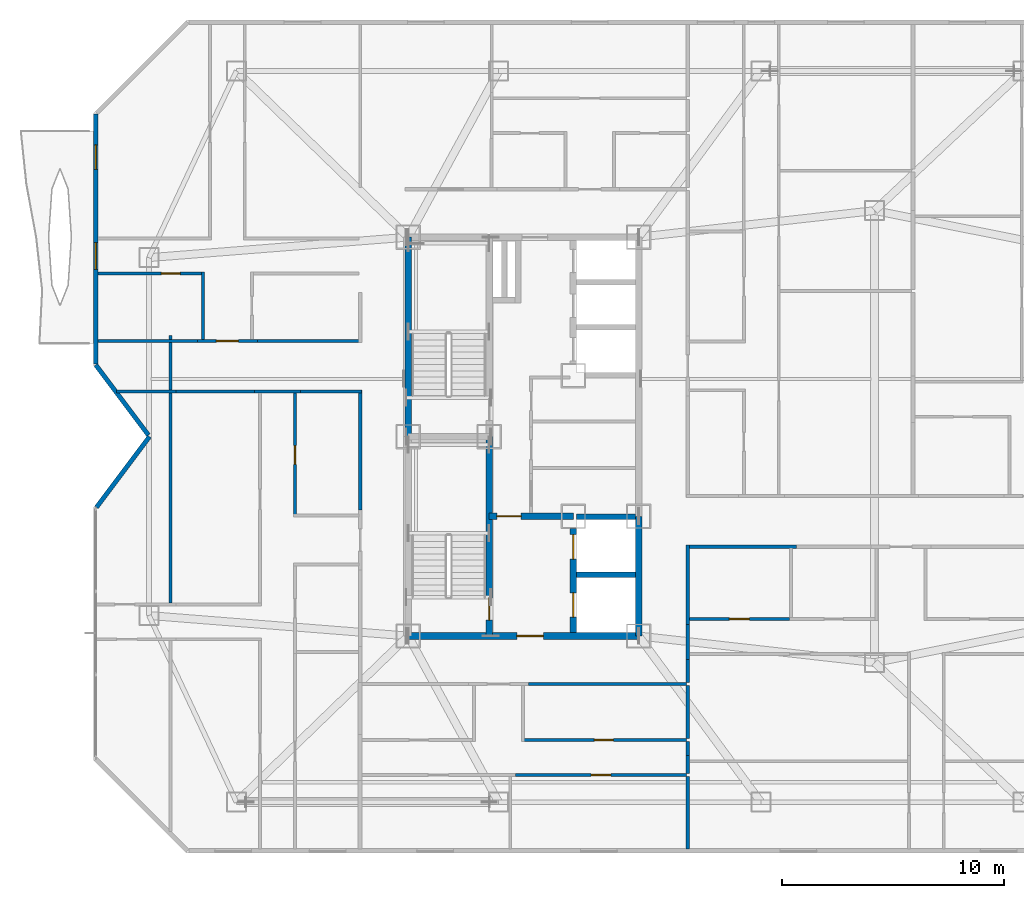
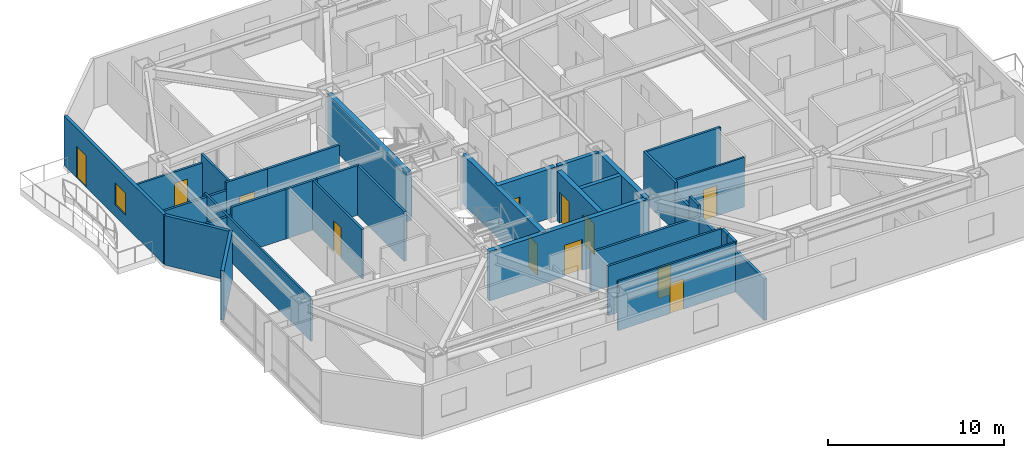
# One storey, part 11 of 17: 35 walls, 12 doors, 1 window, 13 openings.
"""IFC4 building model written with IfcOpenShell, lengths in metres."""

from ifc_helpers import new_model, si_unit, direction, frame, frame_2d, origin, place, context, subcontext, project, spatial, rectangle, extrude, material, layer, layer_set, type_object, element, fill, save


model = new_model("IFC4")

# Units and contexts
model_context = context("Model", 3, precision=1e-05, world=origin(), true_north=direction((0.0, 1.0)))
body_context = subcontext(model_context, "Body", "Model", "MODEL_VIEW")
ifc_project = project(units=[si_unit("LENGTHUNIT", "METRE"), si_unit("AREAUNIT", "SQUARE_METRE"), si_unit("VOLUMEUNIT", "CUBIC_METRE"), si_unit("PLANEANGLEUNIT", "RADIAN"), si_unit("MASSUNIT", "GRAM", prefix="KILO")], contexts=[model_context])

# Site, building, storey
site_placement = place(None, origin())
site = spatial("IfcSite", under=ifc_project, at=site_placement, CompositionType="ELEMENT")
building_placement = place(site_placement, origin())
building = spatial("IfcBuilding", under=site, at=building_placement, Name="Khamvora Tower", CompositionType="ELEMENT")
storey_placement = place(building_placement, frame((0.0, 0.0, 192.39990234375)))
storey = spatial("IfcBuildingStorey", under=building, at=storey_placement, Name="L49", CompositionType="ELEMENT", Elevation=192.39990234375)

# Wall
ifc_material_1 = material(Name="Concrete C50/60", Category="concrete")
ifc_layer_1 = layer(ifc_material_1, 0.300048828125)
ifc_layer_set_1 = layer_set([ifc_layer_1], Name="Concrete C50/60")
wall_type_1 = type_object("IfcWallType", Name="WAL-CORE-300", PredefinedType="SHEAR", material=ifc_layer_set_1)
wall_1_placement = place(storey_placement, frame((29.0, 28.0, 0.0), z_axis=(0.0, 0.0, 1.0), x_axis=(0.0, 1.0, 0.0)))
element("IfcWall", 1, at=wall_1_placement, inside=storey, type_object=wall_type_1, Name="L49 central core west north wall", PredefinedType="SHEAR", context=body_context, shape_type="SweptSolid", body=[
    extrude(rectangle(XDim=9.0, YDim=0.300048828125, at=frame_2d((4.5, 0.0))), origin(), (0.0, 0.0, 1.0), 3.43017578125),
])

# Wall, opening, door
wall_2_placement = place(storey_placement, frame((29.0, 19.0, 0.0), z_axis=(0.0, 0.0, 1.0), x_axis=(1.0, 0.0, 0.0)))
wall_2 = element("IfcWall", 2, at=wall_2_placement, inside=storey, type_object=wall_type_1, Name="L49 central core south wall", PredefinedType="SHEAR", context=body_context, shape_type="SweptSolid", body=[
    extrude(rectangle(XDim=10.39990234375, YDim=0.300048828125, at=frame_2d((5.199951171875, 0.0))), origin(), (0.0, 0.0, 1.0), 3.43017578125),
])
opening_1_placement = place(wall_2_placement, frame((4.89990234375, 0.0, 0.0)))
opening_1 = element("IfcOpeningElement", 3, at=opening_1_placement, cuts=wall_2, Name="Opening D-CR1", PredefinedType="OPENING", context=body_context, shape_type="SweptSolid", body=[
    extrude(rectangle(XDim=1.199951171875, YDim=2.14990234375, at=frame_2d((0.60009765625, 1.074951171875))), frame((0.0, 0.159912109375, 0.0), z_axis=(0.0, -1.0, 0.0), x_axis=(1.0, 0.0, 0.0)), (0.0, 0.0, 1.0), 0.320068359375),
])
ifc_material_2 = material(Name="Powder-Coated Steel and Hardwood Leaf", Category="steel")
door_type_1 = type_object("IfcDoorType", Name="DOR-CORR-1200", OperationType="NOTDEFINED", PredefinedType="DOOR", material=ifc_material_2)
door_1_placement = place(opening_1_placement, origin())
door_1 = element("IfcDoor", 4, at=door_1_placement, inside=storey, type_object=door_type_1, Name="L49 south core lobby to corridor fire door", OperationType="SINGLE_SWING_LEFT", OverallHeight=2.14990234375, OverallWidth=1.199951171875, PredefinedType="DOOR", context=body_context, shape_type="SweptSolid", body=[
    extrude(rectangle(XDim=1.199951171875, YDim=2.14990234375, at=frame_2d((0.60009765625, 1.074951171875))), frame((0.0, 0.02490234375, 0.0), z_axis=(0.0, -1.0, 0.0), x_axis=(1.0, 0.0, 0.0)), (0.0, 0.0, 1.0), 0.050048828125),
])
fill(opening_1, door_1)

# Wall
wall_3_placement = place(storey_placement, frame((39.39990234375, 19.0, 0.0), z_axis=(0.0, 0.0, 1.0), x_axis=(0.0, 1.0, 0.0)))
element("IfcWall", 5, at=wall_3_placement, inside=storey, type_object=wall_type_1, Name="L49 central core east south wall", PredefinedType="SHEAR", context=body_context, shape_type="SweptSolid", body=[
    extrude(rectangle(XDim=5.39990234375, YDim=0.300048828125, at=frame_2d((2.699951171875, 0.0))), origin(), (0.0, 0.0, 1.0), 3.43017578125),
])

# Wall, opening, door
wall_4_placement = place(storey_placement, frame((32.64990234375, 19.0, 0.0), z_axis=(0.0, 0.0, 1.0), x_axis=(0.0, 1.0, 0.0)))
wall_4 = element("IfcWall", 6, at=wall_4_placement, inside=storey, type_object=wall_type_1, Name="L49 central core stair south spine wall", PredefinedType="SHEAR", context=body_context, shape_type="SweptSolid", body=[
    extrude(rectangle(XDim=9.0, YDim=0.300048828125, at=frame_2d((4.5, 0.0))), origin(), (0.0, 0.0, 1.0), 3.43017578125),
])
opening_2_placement = place(wall_4_placement, frame((0.719970703125, 0.0, 0.0)))
opening_2 = element("IfcOpeningElement", 7, at=opening_2_placement, cuts=wall_4, Name="Opening D-ST1", PredefinedType="OPENING", context=body_context, shape_type="SweptSolid", body=[
    extrude(rectangle(XDim=1.0, YDim=2.14990234375, at=frame_2d((0.5, 1.074951171875))), frame((0.0, 0.159912109375, 0.0), z_axis=(0.0, -1.0, 0.0), x_axis=(1.0, 0.0, 0.0)), (0.0, 0.0, 1.0), 0.320068359375),
])
door_type_2 = type_object("IfcDoorType", Name="DOR-STAIR-1000", OperationType="NOTDEFINED", PredefinedType="DOOR", material=ifc_material_2)
door_2_placement = place(opening_2_placement, origin())
door_2 = element("IfcDoor", 8, at=door_2_placement, inside=storey, type_object=door_type_2, Name="L49 exit stair ST-01 fire door", OperationType="SINGLE_SWING_RIGHT", OverallHeight=2.14990234375, OverallWidth=1.0, PredefinedType="DOOR", context=body_context, shape_type="SweptSolid", body=[
    extrude(rectangle(XDim=1.0, YDim=2.14990234375, at=frame_2d((0.5, 1.074951171875))), frame((0.0, 0.02490234375, 0.0), z_axis=(0.0, -1.0, 0.0), x_axis=(1.0, 0.0, 0.0)), (0.0, 0.0, 1.0), 0.050048828125),
])
fill(opening_2, door_2)

wall_5_placement = place(storey_placement, frame((32.64990234375, 24.39990234375, 0.0), z_axis=(0.0, 0.0, 1.0), x_axis=(1.0, 0.0, 0.0)))
wall_5 = element("IfcWall", 9, at=wall_5_placement, inside=storey, type_object=wall_type_1, Name="L49 central core firefighting lobby north wall", PredefinedType="SHEAR", context=body_context, shape_type="SweptSolid", body=[
    extrude(rectangle(XDim=3.800048828125, YDim=0.300048828125, at=frame_2d((1.89990234375, 0.0))), origin(), (0.0, 0.0, 1.0), 3.43017578125),
])
opening_3_placement = place(wall_5_placement, frame((0.35009765625, 0.0, 0.0)))
opening_3 = element("IfcOpeningElement", 10, at=opening_3_placement, cuts=wall_5, Name="Opening D-FF1", PredefinedType="OPENING", context=body_context, shape_type="SweptSolid", body=[
    extrude(rectangle(XDim=1.10009765625, YDim=2.14990234375, at=frame_2d((0.550048828125, 1.074951171875))), frame((0.0, 0.159912109375, 0.0), z_axis=(0.0, -1.0, 0.0), x_axis=(1.0, 0.0, 0.0)), (0.0, 0.0, 1.0), 0.320068359375),
])
door_type_3 = type_object("IfcDoorType", Name="DOR-FFLOB-1100", OperationType="NOTDEFINED", PredefinedType="DOOR", material=ifc_material_2)
door_3_placement = place(opening_3_placement, origin())
door_3 = element("IfcDoor", 11, at=door_3_placement, inside=storey, type_object=door_type_3, Name="L49 firefighting lobby smoke-seal fire door", OperationType="SINGLE_SWING_RIGHT", OverallHeight=2.14990234375, OverallWidth=1.10009765625, PredefinedType="DOOR", context=body_context, shape_type="SweptSolid", body=[
    extrude(rectangle(XDim=1.10009765625, YDim=2.14990234375, at=frame_2d((0.550048828125, 1.074951171875))), frame((0.0, 0.02490234375, 0.0), z_axis=(0.0, -1.0, 0.0), x_axis=(1.0, 0.0, 0.0)), (0.0, 0.0, 1.0), 0.050048828125),
])
fill(opening_3, door_3)

# Wall, openings, doors
wall_6_placement = place(storey_placement, frame((36.449951171875, 19.154052734375, 0.0), z_axis=(0.0, 0.0, 1.0), x_axis=(0.0, 1.0, 0.0)))
wall_6 = element("IfcWall", 12, at=wall_6_placement, inside=storey, type_object=wall_type_1, Name="L49 central core lift bank south wall", PredefinedType="SHEAR", context=body_context, shape_type="SweptSolid", body=[
    extrude(rectangle(XDim=4.696044921875, YDim=0.300048828125, at=frame_2d((2.34814453125, 0.0))), origin(), (0.0, 0.0, 1.0), 3.43017578125),
])
opening_4_placement = place(wall_6_placement, frame((0.696044921875, 0.0, 0.0)))
opening_4 = element("IfcOpeningElement", 13, at=opening_4_placement, cuts=wall_6, Name="Opening LD-FFL", PredefinedType="OPENING", context=body_context, shape_type="SweptSolid", body=[
    extrude(rectangle(XDim=1.10009765625, YDim=2.14990234375, at=frame_2d((0.550048828125, 1.074951171875))), frame((0.0, 0.159912109375, 0.0), z_axis=(0.0, -1.0, 0.0), x_axis=(1.0, 0.0, 0.0)), (0.0, 0.0, 1.0), 0.320068359375),
])
opening_5_placement = place(wall_6_placement, frame((3.31591796875, 0.0, 0.0)))
opening_5 = element("IfcOpeningElement", 14, at=opening_5_placement, cuts=wall_6, Name="Opening LD-FFL", PredefinedType="OPENING", context=body_context, shape_type="SweptSolid", body=[
    extrude(rectangle(XDim=1.10009765625, YDim=2.14990234375, at=frame_2d((0.550048828125, 1.074951171875))), frame((0.0, 0.159912109375, 0.0), z_axis=(0.0, -1.0, 0.0), x_axis=(1.0, 0.0, 0.0)), (0.0, 0.0, 1.0), 0.320068359375),
])
door_type_4 = type_object("IfcDoorType", Name="DOR-LIFT-1100", OperationType="SLIDING_TO_LEFT", PredefinedType="DOOR", material=ifc_material_2)
door_4_placement = place(opening_4_placement, origin())
door_4 = element("IfcDoor", 15, at=door_4_placement, inside=storey, type_object=door_type_4, Name="L49 lift landing sliding door FFL-01", OperationType="SLIDING_TO_LEFT", OverallHeight=2.14990234375, OverallWidth=1.10009765625, PredefinedType="DOOR", context=body_context, shape_type="SweptSolid", body=[
    extrude(rectangle(XDim=1.10009765625, YDim=2.14990234375, at=frame_2d((0.550048828125, 1.074951171875))), frame((0.0, 0.02490234375, 0.0), z_axis=(0.0, -1.0, 0.0), x_axis=(1.0, 0.0, 0.0)), (0.0, 0.0, 1.0), 0.050048828125),
])
fill(opening_4, door_4)
door_5_placement = place(opening_5_placement, origin())
door_5 = element("IfcDoor", 16, at=door_5_placement, inside=storey, type_object=door_type_4, Name="L49 lift landing sliding door FFL-02", OperationType="SLIDING_TO_LEFT", OverallHeight=2.14990234375, OverallWidth=1.10009765625, PredefinedType="DOOR", context=body_context, shape_type="SweptSolid", body=[
    extrude(rectangle(XDim=1.10009765625, YDim=2.14990234375, at=frame_2d((0.550048828125, 1.074951171875))), frame((0.0, 0.02490234375, 0.0), z_axis=(0.0, -1.0, 0.0), x_axis=(1.0, 0.0, 0.0)), (0.0, 0.0, 1.0), 0.050048828125),
])
fill(opening_5, door_5)

# Walls
ifc_material_3 = material(Name="Fire-Rated Drywall and Steel Stud", Category="steel")
ifc_layer_2 = layer(ifc_material_3, 0.14990234375)
ifc_layer_set_2 = layer_set([ifc_layer_2], Name="Fire-Rated Drywall and Steel Stud")
wall_type_2 = type_object("IfcWallType", Name="WAL-CORR-150", PredefinedType="STANDARD", material=ifc_layer_set_2)
wall_7_placement = place(storey_placement, frame((24.138916015625, 30.034912109375, 0.0), z_axis=(0.0, 0.0, 1.0), x_axis=(-1.0, 0.0, 0.0)))
element("IfcWall", 17, at=wall_7_placement, inside=storey, type_object=wall_type_2, Name="L49 interior partition wall 010", PredefinedType="STANDARD", context=body_context, shape_type="SweptSolid", body=[
    extrude(rectangle(XDim=2.077880859375, YDim=0.14990234375, at=frame_2d((1.0390625, 0.0))), origin(), (0.0, 0.0, 1.0), 3.43017578125),
])
wall_8_placement = place(storey_placement, frame((26.8349609375, 24.68310546875, 0.0), z_axis=(0.0, 0.0, 1.0), x_axis=(0.0, 1.0, 0.0)))
element("IfcWall", 18, at=wall_8_placement, inside=storey, type_object=wall_type_2, Name="L49 interior partition wall 012", PredefinedType="STANDARD", context=body_context, shape_type="SweptSolid", body=[
    extrude(rectangle(XDim=5.4169921875, YDim=0.14990234375, at=frame_2d((2.70849609375, 0.0))), origin(), (0.0, 0.0, 1.0), 3.43017578125),
])
wall_9_placement = place(storey_placement, frame((26.89794921875, 30.034912109375, 0.0), z_axis=(0.0, 0.0, 1.0), x_axis=(-1.0, 0.0, 0.0)))
element("IfcWall", 19, at=wall_9_placement, inside=storey, type_object=wall_type_2, Name="L49 interior partition wall 013", PredefinedType="STANDARD", context=body_context, shape_type="SweptSolid", body=[
    extrude(rectangle(XDim=2.759033203125, YDim=0.14990234375, at=frame_2d((1.37939453125, 0.0))), origin(), (0.0, 0.0, 1.0), 3.43017578125),
])
wall_10_placement = place(storey_placement, frame((18.52294921875, 30.034912109375, 0.0), z_axis=(0.0, 0.0, 1.0), x_axis=(-1.0, 0.0, 0.0)))
element("IfcWall", 20, at=wall_10_placement, inside=storey, type_object=wall_type_2, Name="L49 interior partition wall 014", PredefinedType="STANDARD", context=body_context, shape_type="SweptSolid", body=[
    extrude(rectangle(XDim=2.697998046875, YDim=0.14990234375, at=frame_2d((1.34912109375, 0.0))), origin(), (0.0, 0.0, 1.0), 2.8759765625),
])
wall_11_placement = place(storey_placement, frame((22.06103515625, 30.034912109375, 0.0), z_axis=(0.0, 0.0, 1.0), x_axis=(-1.0, 0.0, 0.0)))
element("IfcWall", 21, at=wall_11_placement, inside=storey, type_object=wall_type_2, Name="L49 interior partition wall 015", PredefinedType="STANDARD", context=body_context, shape_type="SweptSolid", body=[
    extrude(rectangle(XDim=3.5380859375, YDim=0.14990234375, at=frame_2d((1.76904296875, 0.0))), origin(), (0.0, 0.0, 1.0), 3.43017578125),
])

# Wall, opening, door
wall_12_placement = place(storey_placement, frame((19.490966796875, 32.31494140625, 0.0), z_axis=(0.0, 0.0, 1.0), x_axis=(1.0, 0.0, 0.0)))
wall_12 = element("IfcWall", 22, at=wall_12_placement, inside=storey, type_object=wall_type_2, Name="L49 interior partition wall 016", PredefinedType="STANDARD", context=body_context, shape_type="SweptSolid", body=[
    extrude(rectangle(XDim=2.697998046875, YDim=0.14990234375, at=frame_2d((1.34912109375, 0.0))), origin(), (0.0, 0.0, 1.0), 3.43017578125),
])
opening_6_placement = place(wall_12_placement, frame((0.84912109375, 0.0, 0.0)))
opening_6 = element("IfcOpeningElement", 23, at=opening_6_placement, cuts=wall_12, Name="Opening D-U1", PredefinedType="OPENING", context=body_context, shape_type="SweptSolid", body=[
    extrude(rectangle(XDim=1.0, YDim=2.14990234375, at=frame_2d((0.5, 1.074951171875))), frame((0.0, 0.0849609375, 0.0), z_axis=(0.0, -1.0, 0.0), x_axis=(1.0, 0.0, 0.0)), (0.0, 0.0, 1.0), 0.169921875),
])
door_type_5 = type_object("IfcDoorType", Name="DOR-UNIT-1000", OperationType="NOTDEFINED", PredefinedType="DOOR", material=ifc_material_2)
door_6_placement = place(opening_6_placement, origin())
door_6 = element("IfcDoor", 24, at=door_6_placement, inside=storey, type_object=door_type_5, Name="L49 interior door COR-49WBH", OperationType="SINGLE_SWING_RIGHT", OverallHeight=2.14990234375, OverallWidth=1.0, PredefinedType="DOOR", context=body_context, shape_type="SweptSolid", body=[
    extrude(rectangle(XDim=1.0, YDim=2.14990234375, at=frame_2d((0.5, 1.074951171875))), frame((0.0, 0.02490234375, 0.0), z_axis=(0.0, -1.0, 0.0), x_axis=(1.0, 0.0, 0.0)), (0.0, 0.0, 1.0), 0.050048828125),
])
fill(opening_6, door_6)

# Walls
wall_13_placement = place(storey_placement, frame((14.991943359375, 32.31494140625, 0.0), z_axis=(0.0, 0.0, 1.0), x_axis=(1.0, 0.0, 0.0)))
element("IfcWall", 25, at=wall_13_placement, inside=storey, type_object=wall_type_2, Name="L49 interior partition wall 017", PredefinedType="STANDARD", context=body_context, shape_type="SweptSolid", body=[
    extrude(rectangle(XDim=4.4990234375, YDim=0.14990234375, at=frame_2d((2.24951171875, 0.0))), origin(), (0.0, 0.0, 1.0), 2.8759765625),
])
wall_14_placement = place(storey_placement, frame((22.18896484375, 32.31494140625, 0.0), z_axis=(0.0, 0.0, 1.0), x_axis=(1.0, 0.0, 0.0)))
element("IfcWall", 26, at=wall_14_placement, inside=storey, type_object=wall_type_2, Name="L49 interior partition wall 018", PredefinedType="STANDARD", context=body_context, shape_type="SweptSolid", body=[
    extrude(rectangle(XDim=4.7109375, YDim=0.14990234375, at=frame_2d((2.35546875, 0.0))), origin(), (0.0, 0.0, 1.0), 3.43017578125),
])
wall_15_placement = place(storey_placement, frame((41.550048828125, 16.8349609375, 0.0), z_axis=(0.0, 0.0, 1.0), x_axis=(-1.0, 0.0, 0.0)))
element("IfcWall", 27, at=wall_15_placement, inside=storey, type_object=wall_type_2, Name="L49 interior partition wall 022", PredefinedType="STANDARD", context=body_context, shape_type="SweptSolid", body=[
    extrude(rectangle(XDim=7.1259765625, YDim=0.14990234375, at=frame_2d((3.56298828125, 0.0))), origin(), (0.0, 0.0, 1.0), 2.72509765625),
])
wall_16_placement = place(storey_placement, frame((46.51904296875, 23.034912109375, 0.0), z_axis=(0.0, 0.0, 1.0), x_axis=(-1.0, 0.0, 0.0)))
element("IfcWall", 28, at=wall_16_placement, inside=storey, type_object=wall_type_2, Name="L49 interior partition wall 026", PredefinedType="STANDARD", context=body_context, shape_type="SweptSolid", body=[
    extrude(rectangle(XDim=4.968994140625, YDim=0.14990234375, at=frame_2d((2.484375, 0.0))), origin(), (0.0, 0.0, 1.0), 3.43017578125),
])
wall_17_placement = place(storey_placement, frame((41.614990234375, 23.10009765625, 0.0), z_axis=(0.0, 0.0, 1.0), x_axis=(0.0, -1.0, 0.0)))
element("IfcWall", 29, at=wall_17_placement, inside=storey, type_object=wall_type_2, Name="L49 interior partition wall 027", PredefinedType="STANDARD", context=body_context, shape_type="SweptSolid", body=[
    extrude(rectangle(XDim=3.5830078125, YDim=0.14990234375, at=frame_2d((1.79150390625, 0.0))), origin(), (0.0, 0.0, 1.0), 3.43017578125),
])
wall_18_placement = place(storey_placement, frame((41.614990234375, 19.51708984375, 0.0), z_axis=(0.0, 0.0, 1.0), x_axis=(0.0, -1.0, 0.0)))
element("IfcWall", 30, at=wall_18_placement, inside=storey, type_object=wall_type_2, Name="L49 interior partition wall 030", PredefinedType="STANDARD", context=body_context, shape_type="SweptSolid", body=[
    extrude(rectangle(XDim=1.580078125, YDim=0.14990234375, at=frame_2d((0.7900390625, 0.0))), origin(), (0.0, 0.0, 1.0), 2.72509765625),
])
wall_19_placement = place(storey_placement, frame((41.614990234375, 17.93701171875, 0.0), z_axis=(0.0, 0.0, 1.0), x_axis=(0.0, -1.0, 0.0)))
element("IfcWall", 31, at=wall_19_placement, inside=storey, type_object=wall_type_2, Name="L49 interior partition wall 033", PredefinedType="STANDARD", context=body_context, shape_type="SweptSolid", body=[
    extrude(rectangle(XDim=1.037109375, YDim=0.14990234375, at=frame_2d((0.5185546875, 0.0))), origin(), (0.0, 0.0, 1.0), 3.43017578125),
])
ifc_material_4 = material(Name="Acoustic Double-Stud Fire Wall", Category="gypsum")
ifc_layer_3 = layer(ifc_material_4, 0.179931640625)
ifc_layer_set_3 = layer_set([ifc_layer_3], Name="Acoustic Double-Stud Fire Wall")
wall_type_3 = type_object("IfcWallType", Name="WAL-CORR-180", PredefinedType="STANDARD", material=ifc_layer_set_3)
wall_20_placement = place(storey_placement, frame((41.614990234375, 13.60009765625, 0.0), z_axis=(0.0, 0.0, 1.0), x_axis=(0.0, -1.0, 0.0)))
element("IfcWall", 32, at=wall_20_placement, inside=storey, type_object=wall_type_3, Name="L49 interior partition wall 079", PredefinedType="STANDARD", context=body_context, shape_type="SweptSolid", body=[
    extrude(rectangle(XDim=0.81005859375, YDim=0.179931640625, at=frame_2d((0.405029296875, 0.0))), origin(), (0.0, 0.0, 1.0), 3.43017578125),
])
wall_21_placement = place(storey_placement, frame((41.614990234375, 14.239990234375, 0.0), z_axis=(0.0, 0.0, 1.0), x_axis=(0.0, -1.0, 0.0)))
element("IfcWall", 33, at=wall_21_placement, inside=storey, type_object=wall_type_3, Name="L49 interior partition wall 080", PredefinedType="STANDARD", context=body_context, shape_type="SweptSolid", body=[
    extrude(rectangle(XDim=0.639892578125, YDim=0.179931640625, at=frame_2d((0.31982421875, 0.0))), origin(), (0.0, 0.0, 1.0), 3.43017578125),
])
wall_22_placement = place(storey_placement, frame((41.614990234375, 16.77001953125, 0.0), z_axis=(0.0, 0.0, 1.0), x_axis=(0.0, -1.0, 0.0)))
element("IfcWall", 34, at=wall_22_placement, inside=storey, type_object=wall_type_3, Name="L49 interior partition wall 081", PredefinedType="STANDARD", context=body_context, shape_type="SweptSolid", body=[
    extrude(rectangle(XDim=2.39990234375, YDim=0.179931640625, at=frame_2d((1.199951171875, 0.0))), origin(), (0.0, 0.0, 1.0), 2.72509765625),
])
wall_23_placement = place(storey_placement, frame((41.614990234375, 12.659912109375, 0.0), z_axis=(0.0, 0.0, 1.0), x_axis=(0.0, -1.0, 0.0)))
element("IfcWall", 35, at=wall_23_placement, inside=storey, type_object=wall_type_3, Name="L49 interior partition wall 083", PredefinedType="STANDARD", context=body_context, shape_type="SweptSolid", body=[
    extrude(rectangle(XDim=3.267822265625, YDim=0.179931640625, at=frame_2d((1.6337890625, 0.0))), origin(), (0.0, 0.0, 1.0), 2.8759765625),
])
ifc_material_5 = material(Name="Precast concrete C40/50", Category="concrete")
ifc_layer_4 = layer(ifc_material_5, 0.199951171875)
ifc_layer_set_4 = layer_set([ifc_layer_4], Name="Precast concrete C40/50")
wall_type_4 = type_object("IfcWallType", Name="WAL-EXT-200", PredefinedType="STANDARD", material=ifc_layer_set_4)
wall_24_placement = place(storey_placement, frame((14.929931640625, 24.806884765625, 0.0), z_axis=(0.0, 0.0, 1.0), x_axis=(0.600029358831, 0.799977980035, 0.0)))
element("IfcWall", 36, at=wall_24_placement, inside=storey, type_object=wall_type_4, Name="L49 exterior facade wall 03.1", PredefinedType="STANDARD", context=body_context, shape_type="SweptSolid", body=[
    extrude(rectangle(XDim=3.991455078125, YDim=0.199951171875, at=frame_2d((1.99560546875, 0.0))), origin(), (0.0, 0.0, 1.0), 3.43017578125),
])
wall_25_placement = place(storey_placement, frame((17.27294921875, 28.069091796875, 0.0), z_axis=(0.0, 0.0, 1.0), x_axis=(-0.600029630681, 0.799977776132, 0.0)))
element("IfcWall", 37, at=wall_25_placement, inside=storey, type_object=wall_type_4, Name="L49 exterior facade wall 04.1", PredefinedType="STANDARD", context=body_context, shape_type="SweptSolid", body=[
    extrude(rectangle(XDim=3.954833984375, YDim=0.199951171875, at=frame_2d((1.9775390625, 0.0))), origin(), (0.0, 0.0, 1.0), 3.43017578125),
])

# Wall, openings, door, window
wall_26_placement = place(storey_placement, frame((14.89990234375, 31.283935546875, 0.0), z_axis=(0.0, 0.0, 1.0), x_axis=(0.0, 1.0, 0.0)))
wall_26 = element("IfcWall", 38, at=wall_26_placement, inside=storey, type_object=wall_type_4, Name="L49 exterior facade wall 05.1", PredefinedType="STANDARD", context=body_context, shape_type="SweptSolid", body=[
    extrude(rectangle(XDim=11.275146484375, YDim=0.199951171875, at=frame_2d((5.6376953125, 0.0))), origin(), (0.0, 0.0, 1.0), 3.43017578125),
])
opening_7_placement = place(wall_26_placement, frame((8.778076171875, 0.0, 0.0)))
opening_7 = element("IfcOpeningElement", 39, at=opening_7_placement, cuts=wall_26, Name="Opening BD-01", PredefinedType="OPENING", context=body_context, shape_type="SweptSolid", body=[
    extrude(rectangle(XDim=1.10009765625, YDim=2.199951171875, at=frame_2d((0.550048828125, 1.10009765625))), frame((0.0, 0.10986328125, 0.0), z_axis=(0.0, -1.0, 0.0), x_axis=(1.0, 0.0, 0.0)), (0.0, 0.0, 1.0), 0.219970703125),
])
opening_8_placement = place(wall_26_placement, frame((4.26708984375, 0.0, 0.800048828125)))
opening_8 = element("IfcOpeningElement", 40, at=opening_8_placement, cuts=wall_26, Name="Opening WN-03", PredefinedType="OPENING", context=body_context, shape_type="SweptSolid", body=[
    extrude(rectangle(XDim=1.199951171875, YDim=1.5, at=frame_2d((0.60009765625, 0.75))), frame((0.0, 0.10986328125, 0.0), z_axis=(0.0, -1.0, 0.0), x_axis=(1.0, 0.0, 0.0)), (0.0, 0.0, 1.0), 0.219970703125),
])
ifc_material_6 = material(Name="Anodised Aluminium and Laminated Safety Glass", Category="aluminium")
door_type_6 = type_object("IfcDoorType", Name="DOR-BAL-1100", OperationType="NOTDEFINED", PredefinedType="DOOR", material=ifc_material_6)
door_7_placement = place(opening_7_placement, origin())
door_7 = element("IfcDoor", 41, at=door_7_placement, inside=storey, type_object=door_type_6, Name="L49 lens gallery balcony door WL2", OperationType="SLIDING_TO_LEFT", OverallHeight=2.199951171875, OverallWidth=1.10009765625, PredefinedType="DOOR", context=body_context, shape_type="SweptSolid", body=[
    extrude(rectangle(XDim=1.10009765625, YDim=2.199951171875, at=frame_2d((0.550048828125, 1.10009765625))), frame((0.0, 0.02490234375, 0.0), z_axis=(0.0, -1.0, 0.0), x_axis=(1.0, 0.0, 0.0)), (0.0, 0.0, 1.0), 0.050048828125),
])
fill(opening_7, door_7)
ifc_material_7 = material(Name="Low-E Laminated Double Glazing", Category="glass")
window_type = type_object("IfcWindowType", Name="WIN-VIS-1200x1500", PartitioningType="SINGLE_PANEL", PredefinedType="WINDOW", material=ifc_material_7)
window_placement = place(opening_8_placement, origin())
window = element("IfcWindow", 42, at=window_placement, inside=storey, type_object=window_type, Name="L49 vision window 05.1.01", OverallHeight=1.5, OverallWidth=1.199951171875, PartitioningType="SINGLE_PANEL", PredefinedType="WINDOW", context=body_context, shape_type="SweptSolid", body=[
    extrude(rectangle(XDim=1.199951171875, YDim=1.5, at=frame_2d((0.60009765625, 0.75))), frame((0.0, 0.030029296875, 0.0), z_axis=(0.0, -1.0, 0.0), x_axis=(1.0, 0.0, 0.0)), (0.0, 0.0, 1.0), 0.06005859375),
])
fill(opening_8, window)

# Wall
ifc_material_8 = material(Name="Gypsum Plasterboard Partition", Category="gypsum")
ifc_layer_5 = layer(ifc_material_8, 0.1201171875)
ifc_layer_set_5 = layer_set([ifc_layer_5], Name="Gypsum Plasterboard Partition")
wall_type_5 = type_object("IfcWallType", Name="WAL-PART-120", PredefinedType="PARTITIONING", material=ifc_layer_set_5)
wall_27_placement = place(storey_placement, frame((18.27392578125, 32.570068359375, 0.0), z_axis=(0.0, 0.0, 1.0), x_axis=(0.0, -1.0, 0.0)))
element("IfcWall", 43, at=wall_27_placement, inside=storey, type_object=wall_type_5, Name="L49 interior partition wall 064", PredefinedType="PARTITIONING", context=body_context, shape_type="SweptSolid", body=[
    extrude(rectangle(XDim=12.091064453125, YDim=0.1201171875, at=frame_2d((6.04541015625, 0.0))), origin(), (0.0, 0.0, 1.0), 2.961181640625),
])

# Wall, opening, door
wall_28_placement = place(storey_placement, frame((41.550048828125, 12.72509765625, 0.0), z_axis=(0.0, 0.0, 1.0), x_axis=(-1.0, 0.0, 0.0)))
wall_28 = element("IfcWall", 44, at=wall_28_placement, inside=storey, type_object=wall_type_5, Name="L49 interior partition wall 078", PredefinedType="PARTITIONING", context=body_context, shape_type="SweptSolid", body=[
    extrude(rectangle(XDim=7.7021484375, YDim=0.1201171875, at=frame_2d((3.85107421875, 0.0))), origin(), (0.0, 0.0, 1.0), 3.43017578125),
])
opening_9_placement = place(wall_28_placement, frame((3.40087890625, 0.0, 0.0)))
opening_9 = element("IfcOpeningElement", 45, at=opening_9_placement, cuts=wall_28, Name="Opening D-RM1", PredefinedType="OPENING", context=body_context, shape_type="SweptSolid", body=[
    extrude(rectangle(XDim=0.89990234375, YDim=2.10009765625, at=frame_2d((0.449951171875, 1.050048828125))), frame((0.0, 0.070068359375, 0.0), z_axis=(0.0, -1.0, 0.0), x_axis=(1.0, 0.0, 0.0)), (0.0, 0.0, 1.0), 0.14013671875),
])
door_type_7 = type_object("IfcDoorType", Name="DOR-ROOM-900", OperationType="NOTDEFINED", PredefinedType="DOOR", material=ifc_material_2)
door_8_placement = place(opening_9_placement, origin())
door_8 = element("IfcDoor", 46, at=door_8_placement, inside=storey, type_object=door_type_7, Name="L49 interior door 49SAH-49SAR2", OperationType="SINGLE_SWING_RIGHT", OverallHeight=2.10009765625, OverallWidth=0.89990234375, PredefinedType="DOOR", context=body_context, shape_type="SweptSolid", body=[
    extrude(rectangle(XDim=0.89990234375, YDim=2.10009765625, at=frame_2d((0.449951171875, 1.050048828125))), frame((0.0, 0.02490234375, 0.0), z_axis=(0.0, -1.0, 0.0), x_axis=(1.0, 0.0, 0.0)), (0.0, 0.0, 1.0), 0.050048828125),
])
fill(opening_9, door_8)

wall_29_placement = place(storey_placement, frame((46.205078125, 19.76611328125, 0.0), z_axis=(0.0, 0.0, 1.0), x_axis=(-1.0, 0.0, 0.0)))
wall_29 = element("IfcWall", 47, at=wall_29_placement, inside=storey, type_object=wall_type_5, Name="L49 interior partition wall 092", PredefinedType="PARTITIONING", context=body_context, shape_type="SweptSolid", body=[
    extrude(rectangle(XDim=4.523193359375, YDim=0.1201171875, at=frame_2d((2.26171875, 0.0))), origin(), (0.0, 0.0, 1.0), 3.43017578125),
])
opening_10_placement = place(wall_29_placement, frame((1.81103515625, 0.0, 0.0)))
opening_10 = element("IfcOpeningElement", 48, at=opening_10_placement, cuts=wall_29, Name="Opening D-RM1", PredefinedType="OPENING", context=body_context, shape_type="SweptSolid", body=[
    extrude(rectangle(XDim=0.89990234375, YDim=2.10009765625, at=frame_2d((0.449951171875, 1.050048828125))), frame((0.0, 0.070068359375, 0.0), z_axis=(0.0, -1.0, 0.0), x_axis=(1.0, 0.0, 0.0)), (0.0, 0.0, 1.0), 0.14013671875),
])
door_9_placement = place(opening_10_placement, origin())
door_9 = element("IfcDoor", 49, at=door_9_placement, inside=storey, type_object=door_type_7, Name="L49 interior door 49EAW1-49EAH", OperationType="SINGLE_SWING_RIGHT", OverallHeight=2.10009765625, OverallWidth=0.89990234375, PredefinedType="DOOR", context=body_context, shape_type="SweptSolid", body=[
    extrude(rectangle(XDim=0.89990234375, YDim=2.10009765625, at=frame_2d((0.449951171875, 1.050048828125))), frame((0.0, 0.02490234375, 0.0), z_axis=(0.0, -1.0, 0.0), x_axis=(1.0, 0.0, 0.0)), (0.0, 0.0, 1.0), 0.050048828125),
])
fill(opening_10, door_9)

# Walls
ifc_material_9 = material(Name="Concrete C40/50", Category="concrete")
ifc_layer_6 = layer(ifc_material_9, 0.25)
ifc_layer_set_6 = layer_set([ifc_layer_6], Name="Concrete C40/50")
wall_type_6 = type_object("IfcWallType", Name="WAL-PODS-250", PredefinedType="SHEAR", material=ifc_layer_set_6)
for number, where, z_axis, x_axis, name in (
    (50, (36.60400390625, 21.77490234375, 0.0), (0.0, 0.0, 1.0), (1.0, 0.0, 0.0), "L49 lift shaft divider wall FFL-01"),
    (51, (36.60400390625, 24.375, 0.0), (0.0, 0.0, 1.0), (1.0, 0.0, 0.0), "L49 lift shaft divider wall FFL-02"),
):
    element("IfcWall", number, at=place(storey_placement, frame(where, z_axis=z_axis, x_axis=x_axis)), inside=storey, type_object=wall_type_6, Name=name, PredefinedType="SHEAR", context=body_context, shape_type="SweptSolid", body=[
        extrude(rectangle(XDim=2.64208984375, YDim=0.25, at=frame_2d((1.321044921875, 0.0))), origin(), (0.0, 0.0, 1.0), 3.43017578125),
    ])

# Wall, opening, door
ifc_material_10 = material(Name="Moisture-Resistant Plasterboard Partition", Category="gypsum")
ifc_layer_7 = layer(ifc_material_10, 0.135009765625)
ifc_layer_set_7 = layer_set([ifc_layer_7], Name="Moisture-Resistant Plasterboard Partition")
wall_type_7 = type_object("IfcWallType", Name="WAL-WET-135", PredefinedType="PARTITIONING", material=ifc_layer_set_7)
wall_30_placement = place(storey_placement, frame((23.889892578125, 29.969970703125, 0.0), z_axis=(0.0, 0.0, 1.0), x_axis=(0.0, -1.0, 0.0)))
wall_30 = element("IfcWall", 52, at=wall_30_placement, inside=storey, type_object=wall_type_7, Name="L49 interior partition wall 055", PredefinedType="PARTITIONING", context=body_context, shape_type="SweptSolid", body=[
    extrude(rectangle(XDim=5.60107421875, YDim=0.135009765625, at=frame_2d((2.800537109375, 0.0))), origin(), (0.0, 0.0, 1.0), 3.43017578125),
])
opening_11_placement = place(wall_30_placement, frame((2.3759765625, 0.0, 0.0)))
opening_11 = element("IfcOpeningElement", 53, at=opening_11_placement, cuts=wall_30, Name="Opening D-RM2", PredefinedType="OPENING", context=body_context, shape_type="SweptSolid", body=[
    extrude(rectangle(XDim=0.85009765625, YDim=2.10009765625, at=frame_2d((0.425048828125, 1.050048828125))), frame((0.0, 0.077392578125, 0.0), z_axis=(0.0, -1.0, 0.0), x_axis=(1.0, 0.0, 0.0)), (0.0, 0.0, 1.0), 0.155029296875),
])
door_type_8 = type_object("IfcDoorType", Name="DOR-ROOM-850", OperationType="NOTDEFINED", PredefinedType="DOOR", material=ifc_material_2)
door_10_placement = place(opening_11_placement, origin())
door_10 = element("IfcDoor", 54, at=door_10_placement, inside=storey, type_object=door_type_8, Name="L49 interior door 49WAH-49WAK", OperationType="SINGLE_SWING_RIGHT", OverallHeight=2.10009765625, OverallWidth=0.85009765625, PredefinedType="DOOR", context=body_context, shape_type="SweptSolid", body=[
    extrude(rectangle(XDim=0.85009765625, YDim=2.10009765625, at=frame_2d((0.425048828125, 1.050048828125))), frame((0.0, 0.02490234375, 0.0), z_axis=(0.0, -1.0, 0.0), x_axis=(1.0, 0.0, 0.0)), (0.0, 0.0, 1.0), 0.050048828125),
])
fill(opening_11, door_10)

# Wall
wall_31_placement = place(storey_placement, frame((19.739990234375, 32.3798828125, 0.0), z_axis=(0.0, 0.0, 1.0), x_axis=(0.0, 1.0, 0.0)))
element("IfcWall", 55, at=wall_31_placement, inside=storey, type_object=wall_type_7, Name="L49 interior partition wall 065", PredefinedType="PARTITIONING", context=body_context, shape_type="SweptSolid", body=[
    extrude(rectangle(XDim=3.046142578125, YDim=0.135009765625, at=frame_2d((1.52294921875, 0.0))), origin(), (0.0, 0.0, 1.0), 3.43017578125),
])

# Wall, opening, door
wall_32_placement = place(storey_placement, frame((19.804931640625, 35.361083984375, 0.0), z_axis=(0.0, 0.0, 1.0), x_axis=(-1.0, 0.0, 0.0)))
wall_32 = element("IfcWall", 56, at=wall_32_placement, inside=storey, type_object=wall_type_7, Name="L49 interior partition wall 066", PredefinedType="PARTITIONING", context=body_context, shape_type="SweptSolid", body=[
    extrude(rectangle(XDim=4.81298828125, YDim=0.135009765625, at=frame_2d((2.406494140625, 0.0))), origin(), (0.0, 0.0, 1.0), 2.8759765625),
])
opening_12_placement = place(wall_32_placement, frame((1.097900390625, 0.0, 0.0)))
opening_12 = element("IfcOpeningElement", 57, at=opening_12_placement, cuts=wall_32, Name="Opening D-WC1", PredefinedType="OPENING", context=body_context, shape_type="SweptSolid", body=[
    extrude(rectangle(XDim=0.85009765625, YDim=2.10009765625, at=frame_2d((0.425048828125, 1.050048828125))), frame((0.0, 0.077392578125, 0.0), z_axis=(0.0, -1.0, 0.0), x_axis=(1.0, 0.0, 0.0)), (0.0, 0.0, 1.0), 0.155029296875),
])
door_type_9 = type_object("IfcDoorType", Name="DOR-WET-850", OperationType="NOTDEFINED", PredefinedType="DOOR", material=ifc_material_2)
door_11_placement = place(opening_12_placement, origin())
door_11 = element("IfcDoor", 58, at=door_11_placement, inside=storey, type_object=door_type_9, Name="L49 interior door 49WBH-49WBB", OperationType="SINGLE_SWING_LEFT", OverallHeight=2.10009765625, OverallWidth=0.85009765625, PredefinedType="DOOR", context=body_context, shape_type="SweptSolid", body=[
    extrude(rectangle(XDim=0.85009765625, YDim=2.10009765625, at=frame_2d((0.425048828125, 1.050048828125))), frame((0.0, 0.02490234375, 0.0), z_axis=(0.0, -1.0, 0.0), x_axis=(1.0, 0.0, 0.0)), (0.0, 0.0, 1.0), 0.050048828125),
])
fill(opening_12, door_11)

wall_33_placement = place(storey_placement, frame((34.110107421875, 14.304931640625, 0.0), z_axis=(0.0, 0.0, 1.0), x_axis=(1.0, 0.0, 0.0)))
wall_33 = element("IfcWall", 59, at=wall_33_placement, inside=storey, type_object=wall_type_7, Name="L49 interior partition wall 076", PredefinedType="PARTITIONING", context=body_context, shape_type="SweptSolid", body=[
    extrude(rectangle(XDim=7.43994140625, YDim=0.135009765625, at=frame_2d((3.719970703125, 0.0))), origin(), (0.0, 0.0, 1.0), 3.43017578125),
])
opening_13_placement = place(wall_33_placement, frame((3.294921875, 0.0, 0.0)))
opening_13 = element("IfcOpeningElement", 60, at=opening_13_placement, cuts=wall_33, Name="Opening D-RM2", PredefinedType="OPENING", context=body_context, shape_type="SweptSolid", body=[
    extrude(rectangle(XDim=0.85009765625, YDim=2.10009765625, at=frame_2d((0.425048828125, 1.050048828125))), frame((0.0, 0.077392578125, 0.0), z_axis=(0.0, -1.0, 0.0), x_axis=(1.0, 0.0, 0.0)), (0.0, 0.0, 1.0), 0.155029296875),
])
door_12_placement = place(opening_13_placement, origin())
door_12 = element("IfcDoor", 61, at=door_12_placement, inside=storey, type_object=door_type_8, Name="L49 interior door 49SAH-49SAK", OperationType="SINGLE_SWING_RIGHT", OverallHeight=2.10009765625, OverallWidth=0.85009765625, PredefinedType="DOOR", context=body_context, shape_type="SweptSolid", body=[
    extrude(rectangle(XDim=0.85009765625, YDim=2.10009765625, at=frame_2d((0.425048828125, 1.050048828125))), frame((0.0, 0.02490234375, 0.0), z_axis=(0.0, -1.0, 0.0), x_axis=(1.0, 0.0, 0.0)), (0.0, 0.0, 1.0), 0.050048828125),
])
fill(opening_13, door_12)

save(model, "model.ifc")
